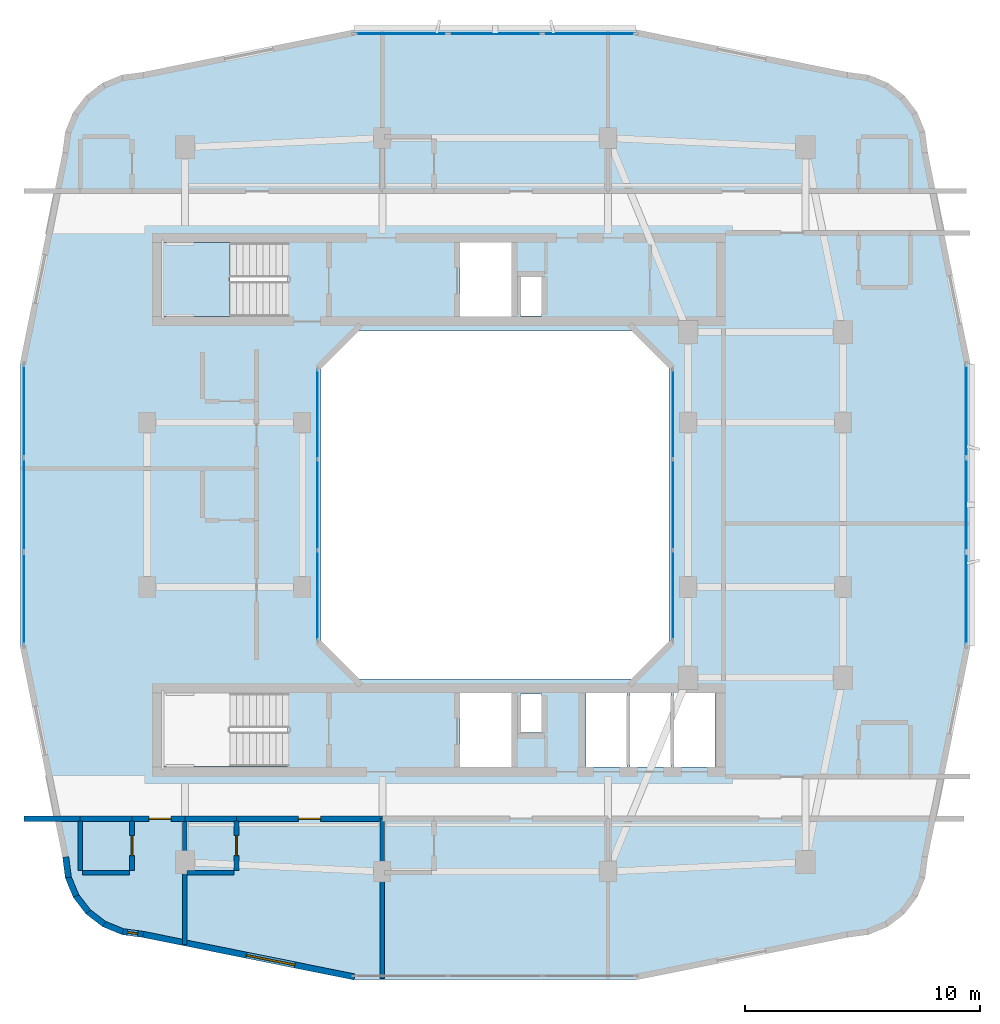
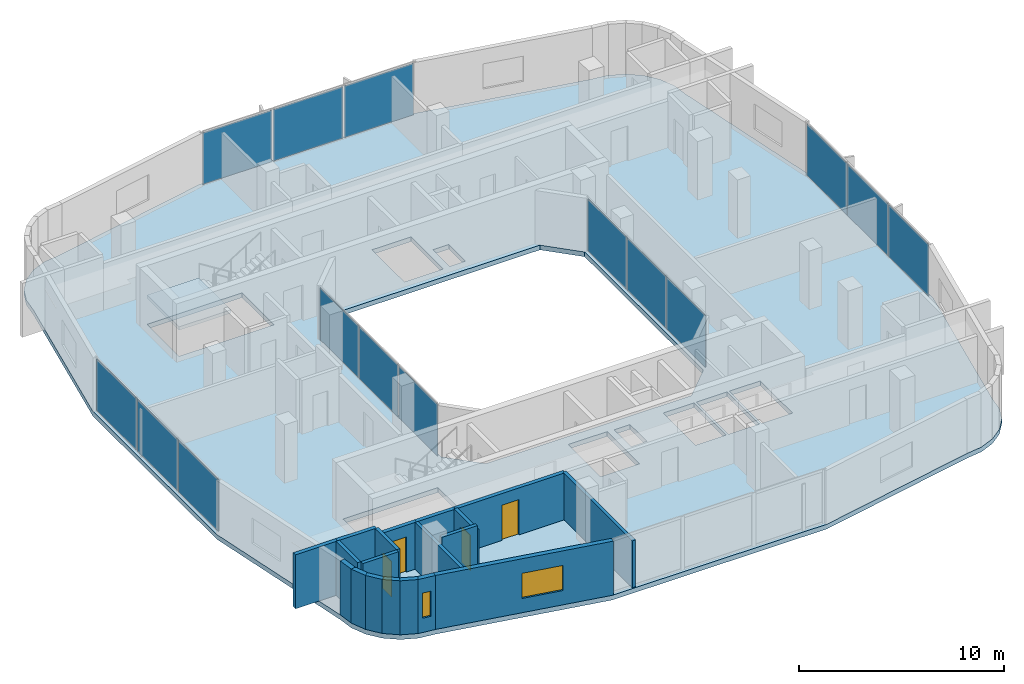
# One storey, part 6 of 14: 19 walls, 15 plates, 4 doors, 2 slabs, 2 windows, 6 openings, 6 elements without a shape of their own.
"""IFC4 building model written with IfcOpenShell, lengths in metres."""

from ifc_helpers import new_model, si_unit, derived_unit, direction, frame, frame_2d, origin, origin_2d, place, context, subcontext, project, spatial, polyline, rectangle, outline, extrude, material, layer, layer_set, type_object, element, fill, aggregate, save


model = new_model("IFC4")

# Units and contexts
model_context = context("Model", 3, precision=1e-05, world=origin(), true_north=direction((0.0, 1.0)))
body_context = subcontext(model_context, "Body", "Model", "MODEL_VIEW")
ifc_project = project(units=[si_unit("LENGTHUNIT", "METRE"), si_unit("AREAUNIT", "SQUARE_METRE"), si_unit("VOLUMEUNIT", "CUBIC_METRE"), si_unit("PLANEANGLEUNIT", "RADIAN"), si_unit("MASSUNIT", "GRAM", prefix="KILO"), derived_unit("THERMALTRANSMITTANCEUNIT", [(si_unit("POWERUNIT", "WATT"), 1), (si_unit("LENGTHUNIT", "METRE"), -2), (si_unit("THERMODYNAMICTEMPERATUREUNIT", "KELVIN"), -1)])], contexts=[model_context])

# Site, building, storey
site_placement = place(None, origin())
site = spatial("IfcSite", under=ifc_project, at=site_placement, CompositionType="ELEMENT")
building_placement = place(site_placement, origin())
building = spatial("IfcBuilding", under=site, at=building_placement, Name="Kivonza Crest Hotel", CompositionType="ELEMENT")
storey_placement = place(building_placement, frame((0.0, 0.0, 145.0)))
storey = spatial("IfcBuildingStorey", under=building, at=storey_placement, Name="L39", CompositionType="ELEMENT", Elevation=145.0)

# Curtain wall, plates
ifc_material_1 = material(Name="Anodised bronze aluminium and low-E double glazing", Category="aluminium")
ifc_layer_1 = layer(ifc_material_1, 0.159912109375)
ifc_layer_set_1 = layer_set([ifc_layer_1], Name="Anodised bronze aluminium and low-E double glazing")
curtain_wall_type_1 = type_object("IfcCurtainWallType", Name="CW-SYS-5", PredefinedType="NOTDEFINED", material=ifc_layer_set_1)
curtain_wall_1_placement = place(storey_placement, origin())
curtain_wall_1 = element("IfcCurtainWall", 1, at=curtain_wall_1_placement, inside=storey, type_object=curtain_wall_type_1, Name="L39 unitised curtain wall CW-WELL-T1-L39-3", PredefinedType="NOTDEFINED")
ifc_material_2 = material(Name="Solar-control low-E double glazing", Category="glass")
ifc_layer_2 = layer(ifc_material_2, 0.028076171875)
ifc_layer_set_2 = layer_set([ifc_layer_2], Name="Solar-control low-E double glazing")
plate_type_1 = type_object("IfcPlateType", Name="CW-PNL-28", PredefinedType="CURTAIN_PANEL", material=ifc_layer_set_2)
plate_1_placement = place(storey_placement, frame((28.56005859375, 21.149658203125, 0.06494140625), z_axis=(0.0, 0.0, 1.0), x_axis=(0.0, 1.0, 0.0)))
plate_1 = element("IfcPlate", 2, at=plate_1_placement, type_object=plate_type_1, Name="CW-5 panel 1.1", PredefinedType="CURTAIN_PANEL", context=body_context, shape_type="SweptSolid", body=[
    extrude(rectangle(XDim=3.769287109375, YDim=0.028076171875, at=origin_2d()), origin(), (0.0, 0.0, 1.0), 3.090087890625),
])
plate_2_placement = place(storey_placement, frame((28.56005859375, 25.0, 0.06494140625), z_axis=(0.0, 0.0, 1.0), x_axis=(0.0, 1.0, 0.0)))
plate_2 = element("IfcPlate", 3, at=plate_2_placement, type_object=plate_type_1, Name="CW-5 panel 2.1", PredefinedType="CURTAIN_PANEL", context=body_context, shape_type="SweptSolid", body=[
    extrude(rectangle(XDim=3.8017578125, YDim=0.028076171875, at=origin_2d()), origin(), (0.0, 0.0, 1.0), 3.090087890625),
])
plate_3_placement = place(storey_placement, frame((28.56005859375, 28.850341796875, 0.06494140625), z_axis=(0.0, 0.0, 1.0), x_axis=(0.0, 1.0, 0.0)))
plate_3 = element("IfcPlate", 4, at=plate_3_placement, type_object=plate_type_1, Name="CW-5 panel 3.1", PredefinedType="CURTAIN_PANEL", context=body_context, shape_type="SweptSolid", body=[
    extrude(rectangle(XDim=3.769287109375, YDim=0.028076171875, at=origin_2d()), origin(), (0.0, 0.0, 1.0), 3.090087890625),
])
aggregate(curtain_wall_1, [plate_1, plate_2, plate_3])

curtain_wall_2_placement = place(storey_placement, origin())
curtain_wall_2 = element("IfcCurtainWall", 5, at=curtain_wall_2_placement, inside=storey, type_object=curtain_wall_type_1, Name="L39 unitised curtain wall CW-WELL-T1-L39-7", PredefinedType="NOTDEFINED")
plate_4_placement = place(storey_placement, frame((13.43994140625, 28.850341796875, 0.06494140625), z_axis=(0.0, 0.0, 1.0), x_axis=(0.0, -1.0, 0.0)))
plate_4 = element("IfcPlate", 6, at=plate_4_placement, type_object=plate_type_1, Name="CW-5 panel 1.1", PredefinedType="CURTAIN_PANEL", context=body_context, shape_type="SweptSolid", body=[
    extrude(rectangle(XDim=3.769287109375, YDim=0.028076171875, at=origin_2d()), origin(), (0.0, 0.0, 1.0), 3.090087890625),
])
plate_5_placement = place(storey_placement, frame((13.43994140625, 25.0, 0.06494140625), z_axis=(0.0, 0.0, 1.0), x_axis=(0.0, -1.0, 0.0)))
plate_5 = element("IfcPlate", 7, at=plate_5_placement, type_object=plate_type_1, Name="CW-5 panel 2.1", PredefinedType="CURTAIN_PANEL", context=body_context, shape_type="SweptSolid", body=[
    extrude(rectangle(XDim=3.8017578125, YDim=0.028076171875, at=origin_2d()), origin(), (0.0, 0.0, 1.0), 3.090087890625),
])
plate_6_placement = place(storey_placement, frame((13.43994140625, 21.149658203125, 0.06494140625), z_axis=(0.0, 0.0, 1.0), x_axis=(0.0, -1.0, 0.0)))
plate_6 = element("IfcPlate", 8, at=plate_6_placement, type_object=plate_type_1, Name="CW-5 panel 3.1", PredefinedType="CURTAIN_PANEL", context=body_context, shape_type="SweptSolid", body=[
    extrude(rectangle(XDim=3.769287109375, YDim=0.028076171875, at=origin_2d()), origin(), (0.0, 0.0, 1.0), 3.090087890625),
])
aggregate(curtain_wall_2, [plate_4, plate_5, plate_6])

ifc_layer_3 = layer(ifc_material_1, 0.179931640625)
ifc_layer_set_3 = layer_set([ifc_layer_3], Name="Anodised bronze aluminium and low-E double glazing")
curtain_wall_type_2 = type_object("IfcCurtainWallType", Name="CW-SYS-3", PredefinedType="NOTDEFINED", material=ifc_layer_set_3)
curtain_wall_3_placement = place(storey_placement, origin())
curtain_wall_3 = element("IfcCurtainWall", 9, at=curtain_wall_3_placement, inside=storey, type_object=curtain_wall_type_2, Name="L39 unitised curtain wall CW-T1-L39-17", PredefinedType="NOTDEFINED")
ifc_material_3 = material(Name="Acoustic triple-laminated low-E glazing", Category="glass")
ifc_layer_4 = layer(ifc_material_3, 0.035888671875)
ifc_layer_set_4 = layer_set([ifc_layer_4], Name="Acoustic triple-laminated low-E glazing")
plate_type_2 = type_object("IfcPlateType", Name="CW-PNL-36", PredefinedType="CURTAIN_PANEL", material=ifc_layer_set_4)
plate_7_placement = place(storey_placement, frame((41.0400390625, 21.00537109375, 0.0751953125), z_axis=(0.0, 0.0, 1.0), x_axis=(0.0, 1.0, 0.0)))
plate_7 = element("IfcPlate", 10, at=plate_7_placement, type_object=plate_type_2, Name="CW-3 panel 1.1", PredefinedType="CURTAIN_PANEL", context=body_context, shape_type="SweptSolid", body=[
    extrude(rectangle(XDim=3.90087890625, YDim=0.035888671875, at=origin_2d()), origin(), (0.0, 0.0, 1.0), 3.070068359375),
])
plate_8_placement = place(storey_placement, frame((41.0400390625, 25.0, 0.0751953125), z_axis=(0.0, 0.0, 1.0), x_axis=(0.0, 1.0, 0.0)))
plate_8 = element("IfcPlate", 11, at=plate_8_placement, type_object=plate_type_2, Name="CW-3 panel 2.1", PredefinedType="CURTAIN_PANEL", context=body_context, shape_type="SweptSolid", body=[
    extrude(rectangle(XDim=3.938232421875, YDim=0.035888671875, at=origin_2d()), origin(), (0.0, 0.0, 1.0), 3.070068359375),
])
plate_9_placement = place(storey_placement, frame((41.0400390625, 28.99462890625, 0.0751953125), z_axis=(0.0, 0.0, 1.0), x_axis=(0.0, 1.0, 0.0)))
plate_9 = element("IfcPlate", 12, at=plate_9_placement, type_object=plate_type_2, Name="CW-3 panel 3.1", PredefinedType="CURTAIN_PANEL", context=body_context, shape_type="SweptSolid", body=[
    extrude(rectangle(XDim=3.90087890625, YDim=0.035888671875, at=origin_2d()), origin(), (0.0, 0.0, 1.0), 3.070068359375),
])
aggregate(curtain_wall_3, [plate_7, plate_8, plate_9])

curtain_wall_4_placement = place(storey_placement, origin())
curtain_wall_4 = element("IfcCurtainWall", 13, at=curtain_wall_4_placement, inside=storey, type_object=curtain_wall_type_2, Name="L39 unitised curtain wall CW-T1-L39-26", PredefinedType="NOTDEFINED")
plate_10_placement = place(storey_placement, frame((24.99462890625, 45.0400390625, 0.0751953125), z_axis=(0.0, 0.0, 1.0), x_axis=(-1.0, 0.0, 0.0)))
plate_10 = element("IfcPlate", 14, at=plate_10_placement, type_object=plate_type_2, Name="CW-3 panel 1.1", PredefinedType="CURTAIN_PANEL", context=body_context, shape_type="SweptSolid", body=[
    extrude(rectangle(XDim=3.90087890625, YDim=0.035888671875, at=origin_2d()), origin(), (0.0, 0.0, 1.0), 3.070068359375),
])
plate_11_placement = place(storey_placement, frame((21.0, 45.0400390625, 0.0751953125), z_axis=(0.0, 0.0, 1.0), x_axis=(-1.0, 0.0, 0.0)))
plate_11 = element("IfcPlate", 15, at=plate_11_placement, type_object=plate_type_2, Name="CW-3 panel 2.1", PredefinedType="CURTAIN_PANEL", context=body_context, shape_type="SweptSolid", body=[
    extrude(rectangle(XDim=3.938232421875, YDim=0.035888671875, at=origin_2d()), origin(), (0.0, 0.0, 1.0), 3.070068359375),
])
plate_12_placement = place(storey_placement, frame((17.00537109375, 45.0400390625, 0.0751953125), z_axis=(0.0, 0.0, 1.0), x_axis=(-1.0, 0.0, 0.0)))
plate_12 = element("IfcPlate", 16, at=plate_12_placement, type_object=plate_type_2, Name="CW-3 panel 3.1", PredefinedType="CURTAIN_PANEL", context=body_context, shape_type="SweptSolid", body=[
    extrude(rectangle(XDim=3.90087890625, YDim=0.035888671875, at=origin_2d()), origin(), (0.0, 0.0, 1.0), 3.070068359375),
])
aggregate(curtain_wall_4, [plate_10, plate_11, plate_12])

curtain_wall_5_placement = place(storey_placement, origin())
curtain_wall_5 = element("IfcCurtainWall", 17, at=curtain_wall_5_placement, inside=storey, type_object=curtain_wall_type_2, Name="L39 unitised curtain wall CW-T1-L39-35", PredefinedType="NOTDEFINED")
plate_13_placement = place(storey_placement, frame((0.9599609375, 28.99462890625, 0.0751953125), z_axis=(0.0, 0.0, 1.0), x_axis=(0.0, -1.0, 0.0)))
plate_13 = element("IfcPlate", 18, at=plate_13_placement, type_object=plate_type_2, Name="CW-3 panel 1.1", PredefinedType="CURTAIN_PANEL", context=body_context, shape_type="SweptSolid", body=[
    extrude(rectangle(XDim=3.90087890625, YDim=0.035888671875, at=origin_2d()), origin(), (0.0, 0.0, 1.0), 3.070068359375),
])
plate_14_placement = place(storey_placement, frame((0.9599609375, 25.0, 0.0751953125), z_axis=(0.0, 0.0, 1.0), x_axis=(0.0, -1.0, 0.0)))
plate_14 = element("IfcPlate", 19, at=plate_14_placement, type_object=plate_type_2, Name="CW-3 panel 2.1", PredefinedType="CURTAIN_PANEL", context=body_context, shape_type="SweptSolid", body=[
    extrude(rectangle(XDim=3.938232421875, YDim=0.035888671875, at=origin_2d()), origin(), (0.0, 0.0, 1.0), 3.070068359375),
])
plate_15_placement = place(storey_placement, frame((0.9599609375, 21.00537109375, 0.0751953125), z_axis=(0.0, 0.0, 1.0), x_axis=(0.0, -1.0, 0.0)))
plate_15 = element("IfcPlate", 20, at=plate_15_placement, type_object=plate_type_2, Name="CW-3 panel 3.1", PredefinedType="CURTAIN_PANEL", context=body_context, shape_type="SweptSolid", body=[
    extrude(rectangle(XDim=3.90087890625, YDim=0.035888671875, at=origin_2d()), origin(), (0.0, 0.0, 1.0), 3.070068359375),
])
aggregate(curtain_wall_5, [plate_13, plate_14, plate_15])

# Slab
ifc_material_4 = material(Name="Concrete C40/50", Category="concrete")
ifc_layer_5 = layer(ifc_material_4, 0.280029296875)
ifc_layer_set_5 = layer_set([ifc_layer_5], Name="Concrete C40/50")
slab_type_1 = type_object("IfcSlabType", Name="SL-HTL-280", PredefinedType="FLOOR", material=ifc_layer_set_5)
slab_1_placement = place(storey_placement, frame((0.0, 0.0, -0.280029296875)))
element("IfcSlab", 21, at=slab_1_placement, inside=storey, type_object=slab_type_1, Name="Tower T1 L39 floor slab", PredefinedType="FLOOR", context=body_context, shape_type="SweptSolid", body=[
    extrude(outline(polyline([(2.60009765625, 10.0), (2.716064453125, 9.1201171875), (3.055908203125, 8.300048828125), (3.595947265625, 7.595947265625), (4.300048828125, 7.055908203125), (5.1201171875, 6.716064453125), (6.0, 6.60009765625), (14.93994140625, 4.800048828125), (27.06005859375, 4.800048828125), (36.0, 6.60009765625), (36.8798828125, 6.716064453125), (37.699951171875, 7.055908203125), (38.404052734375, 7.595947265625), (38.944091796875, 8.300048828125), (39.283935546875, 9.1201171875), (39.39990234375, 10.0), (41.199951171875, 18.93994140625), (41.199951171875, 31.06005859375), (39.39990234375, 40.0), (39.283935546875, 40.8798828125), (38.944091796875, 41.699951171875), (38.404052734375, 42.404052734375), (37.699951171875, 42.944091796875), (36.8798828125, 43.283935546875), (36.0, 43.39990234375), (27.06005859375, 45.199951171875), (14.93994140625, 45.199951171875), (6.0, 43.39990234375), (5.1201171875, 43.283935546875), (4.300048828125, 42.944091796875), (3.595947265625, 42.404052734375), (3.055908203125, 41.699951171875), (2.716064453125, 40.8798828125), (2.60009765625, 40.0), (0.800048828125, 31.06005859375), (0.800048828125, 18.93994140625), (2.60009765625, 10.0)]), holes=[polyline([(15.199951171875, 17.60009765625), (26.800048828125, 17.60009765625), (28.39990234375, 19.199951171875), (28.39990234375, 30.800048828125), (26.800048828125, 32.39990234375), (15.199951171875, 32.39990234375), (13.60009765625, 30.800048828125), (13.60009765625, 19.199951171875), (15.199951171875, 17.60009765625)]), polyline([(6.800048828125, 33.02001953125), (12.159912109375, 33.02001953125), (12.159912109375, 36.159912109375), (6.800048828125, 36.159912109375), (6.800048828125, 33.02001953125)]), polyline([(6.800048828125, 13.860107421875), (12.159912109375, 13.860107421875), (12.159912109375, 17.0), (6.800048828125, 17.0), (6.800048828125, 13.860107421875)]), polyline([(22.080078125, 33.0400390625), (22.969970703125, 33.0400390625), (22.969970703125, 34.679931640625), (22.080078125, 34.679931640625), (22.080078125, 33.0400390625)]), polyline([(22.080078125, 15.320068359375), (22.969970703125, 15.320068359375), (22.969970703125, 16.9599609375), (22.080078125, 16.9599609375), (22.080078125, 15.320068359375)]), polyline([(19.5, 33.0), (21.699951171875, 33.0), (21.699951171875, 36.159912109375), (19.5, 36.159912109375), (19.5, 33.0)]), polyline([(19.5, 13.840087890625), (21.699951171875, 13.840087890625), (21.699951171875, 17.0), (19.5, 17.0), (19.5, 13.840087890625)]), polyline([(24.860107421875, 13.840087890625), (26.60693359375, 13.840087890625), (26.60693359375, 17.0), (24.860107421875, 17.0), (24.860107421875, 13.840087890625)]), polyline([(26.72705078125, 13.840087890625), (28.472900390625, 13.840087890625), (28.472900390625, 17.0), (26.72705078125, 17.0), (26.72705078125, 13.840087890625)]), polyline([(28.593017578125, 13.840087890625), (30.340087890625, 13.840087890625), (30.340087890625, 17.0), (28.593017578125, 17.0), (28.593017578125, 13.840087890625)])]), origin(), (0.0, 0.0, 1.0), 0.280029296875),
])

# Stair, slab
stair_type = type_object("IfcStairType", Name="ST-DL-20R", PredefinedType="HALF_TURN_STAIR", material=ifc_material_4)
stair_placement = place(storey_placement, origin())
stair = element("IfcStair", 22, at=stair_placement, inside=storey, type_object=stair_type, Name="L39 Protected Exit Stair ST-T1-N", PredefinedType="HALF_TURN_STAIR")
ifc_layer_6 = layer(ifc_material_4, 0.199951171875)
ifc_layer_set_6 = layer_set([ifc_layer_6], Name="Concrete C40/50")
slab_type_2 = type_object("IfcSlabType", Name="SL-LAND-200", PredefinedType="LANDING", material=ifc_layer_set_6)
slab_2_placement = place(storey_placement, frame((0.0, 0.0, 1.550048828125)))
slab_2 = element("IfcSlab", 23, at=slab_2_placement, type_object=slab_type_2, Name="ST-T1-N landing 1", PredefinedType="LANDING", context=body_context, shape_type="SweptSolid", body=[
    extrude(outline(polyline([(9.719970703125, 36.159912109375), (6.800048828125, 36.159912109375), (6.800048828125, 33.02001953125), (9.719970703125, 33.02001953125), (9.719970703125, 36.159912109375)])), origin(), (0.0, 0.0, 1.0), 0.199951171875),
])
aggregate(stair, [slab_2])

# Walls
ifc_material_5 = material(Name="High-density acoustic masonry inter-tenancy wall", Category="masonry")
ifc_layer_7 = layer(ifc_material_5, 0.179931640625)
ifc_layer_set_7 = layer_set([ifc_layer_7], Name="High-density acoustic masonry inter-tenancy wall")
wall_type_1 = type_object("IfcWallType", Name="WL-ACOU-180", PredefinedType="SOLIDWALL", material=ifc_layer_set_7)
wall_1_placement = place(storey_placement, frame((7.800048828125, 6.299072265625, 0.0), z_axis=(0.0, 0.0, 1.0), x_axis=(0.0, 1.0, 0.0)))
element("IfcWall", 24, at=wall_1_placement, inside=storey, type_object=wall_type_1, Name="L39 interior partition WA-L39-T1S-DIV1", PredefinedType="SOLIDWALL", context=body_context, shape_type="SweptSolid", body=[
    extrude(rectangle(XDim=5.350830078125, YDim=0.179931640625, at=frame_2d((2.67529296875, 0.0))), origin(), (0.0, 0.0, 1.0), 2.794921875),
])
wall_2_placement = place(storey_placement, frame((16.199951171875, 4.860107421875, 0.0), z_axis=(0.0, 0.0, 1.0), x_axis=(0.0, 1.0, 0.0)))
element("IfcWall", 25, at=wall_2_placement, inside=storey, type_object=wall_type_1, Name="L39 interior partition WA-L39-T1S-DIV2", PredefinedType="SOLIDWALL", context=body_context, shape_type="SweptSolid", body=[
    extrude(rectangle(XDim=6.789794921875, YDim=0.179931640625, at=frame_2d((3.39501953125, 0.0))), origin(), (0.0, 0.0, 1.0), 2.794921875),
])
ifc_material_6 = material(Name="Autoclaved aerated concrete blockwork", Category="masonry")
ifc_layer_8 = layer(ifc_material_6, 0.219970703125)
ifc_layer_set_8 = layer_set([ifc_layer_8], Name="Autoclaved aerated concrete blockwork")
wall_type_2 = type_object("IfcWallType", Name="WL-ACOU-220", PredefinedType="SOLIDWALL", material=ifc_layer_set_8)
wall_3_placement = place(storey_placement, frame((0.9599609375, 11.64990234375, 0.0), z_axis=(0.0, 0.0, 1.0), x_axis=(1.0, 0.0, 0.0)))
element("IfcWall", 26, at=wall_3_placement, inside=storey, type_object=wall_type_2, Name="L39 interior partition WA-L39-S04-XCORR", PredefinedType="SOLIDWALL", context=body_context, shape_type="SweptSolid", body=[
    extrude(rectangle(XDim=2.39013671875, YDim=0.219970703125, at=frame_2d((1.195068359375, 0.0))), origin(), (0.0, 0.0, 1.0), 3.219970703125),
])
wall_4_placement = place(storey_placement, frame((3.35009765625, 11.64990234375, 0.0), z_axis=(0.0, 0.0, 1.0), x_axis=(1.0, 0.0, 0.0)))
element("IfcWall", 27, at=wall_4_placement, inside=storey, type_object=wall_type_2, Name="L39 interior partition WA-L39-S04-BCORR", PredefinedType="SOLIDWALL", context=body_context, shape_type="SweptSolid", body=[
    extrude(rectangle(XDim=2.199951171875, YDim=0.219970703125, at=frame_2d((1.10009765625, 0.0))), origin(), (0.0, 0.0, 1.0), 3.219970703125),
])

# Wall, opening, door
wall_5_placement = place(storey_placement, frame((5.550048828125, 11.64990234375, 0.0), z_axis=(0.0, 0.0, 1.0), x_axis=(1.0, 0.0, 0.0)))
wall_5 = element("IfcWall", 28, at=wall_5_placement, inside=storey, type_object=wall_type_2, Name="L39 interior partition WA-L39-S04-MCORR", PredefinedType="SOLIDWALL", context=body_context, shape_type="SweptSolid", body=[
    extrude(rectangle(XDim=2.25, YDim=0.219970703125, at=frame_2d((1.125, 0.0))), origin(), (0.0, 0.0, 1.0), 2.794921875),
])
opening_1_placement = place(wall_5_placement, frame((0.719970703125, 0.0, 0.0)))
opening_1 = element("IfcOpeningElement", 29, at=opening_1_placement, cuts=wall_5, Name="Opening DU-60", PredefinedType="OPENING", context=body_context, shape_type="SweptSolid", body=[
    extrude(rectangle(XDim=0.949951171875, YDim=2.10009765625, at=frame_2d((0.47509765625, 1.050048828125))), frame((0.0, 0.1201171875, 0.0), z_axis=(0.0, -1.0, 0.0), x_axis=(1.0, 0.0, 0.0)), (0.0, 0.0, 1.0), 0.239990234375),
])
ifc_material_7 = material(Name="Hardwood timber oak", Category="wood")
door_type_1 = type_object("IfcDoorType", Name="DR-UNIT-950", OperationType="NOTDEFINED", PredefinedType="DOOR", material=ifc_material_7)
door_1_placement = place(opening_1_placement, frame((0.949951171875, 0.0, 0.0), z_axis=(0.0, 0.0, 1.0), x_axis=(-1.0, 0.0, 0.0)))
door_1 = element("IfcDoor", 30, at=door_1_placement, inside=storey, type_object=door_type_1, Name="L39 S04 guest unit entrance fire door", OperationType="SINGLE_SWING_RIGHT", OverallHeight=2.10009765625, OverallWidth=0.949951171875, PredefinedType="DOOR", context=body_context, shape_type="SweptSolid", body=[
    extrude(rectangle(XDim=0.949951171875, YDim=2.10009765625, at=frame_2d((0.47509765625, 1.050048828125))), frame((0.0, 0.02490234375, 0.0), z_axis=(0.0, -1.0, 0.0), x_axis=(1.0, 0.0, 0.0)), (0.0, 0.0, 1.0), 0.050048828125),
])
fill(opening_1, door_1)

# Wall
wall_6_placement = place(storey_placement, frame((7.800048828125, 11.64990234375, 0.0), z_axis=(0.0, 0.0, 1.0), x_axis=(1.0, 0.0, 0.0)))
element("IfcWall", 31, at=wall_6_placement, inside=storey, type_object=wall_type_2, Name="L39 interior partition WA-L39-S05-BCORR", PredefinedType="SOLIDWALL", context=body_context, shape_type="SweptSolid", body=[
    extrude(rectangle(XDim=2.199951171875, YDim=0.219970703125, at=frame_2d((1.10009765625, 0.0))), origin(), (0.0, 0.0, 1.0), 2.794921875),
])

# Wall, opening, door
wall_7_placement = place(storey_placement, frame((10.0, 11.64990234375, 0.0), z_axis=(0.0, 0.0, 1.0), x_axis=(1.0, 0.0, 0.0)))
wall_7 = element("IfcWall", 32, at=wall_7_placement, inside=storey, type_object=wall_type_2, Name="L39 interior partition WA-L39-S05-MCORR", PredefinedType="SOLIDWALL", context=body_context, shape_type="SweptSolid", body=[
    extrude(rectangle(XDim=6.199951171875, YDim=0.219970703125, at=frame_2d((3.10009765625, 0.0))), origin(), (0.0, 0.0, 1.0), 2.794921875),
])
opening_2_placement = place(wall_7_placement, frame((2.625, 0.0, 0.0)))
opening_2 = element("IfcOpeningElement", 33, at=opening_2_placement, cuts=wall_7, Name="Opening DU-60", PredefinedType="OPENING", context=body_context, shape_type="SweptSolid", body=[
    extrude(rectangle(XDim=0.949951171875, YDim=2.10009765625, at=frame_2d((0.47509765625, 1.050048828125))), frame((0.0, 0.1201171875, 0.0), z_axis=(0.0, -1.0, 0.0), x_axis=(1.0, 0.0, 0.0)), (0.0, 0.0, 1.0), 0.239990234375),
])
door_2_placement = place(opening_2_placement, frame((0.949951171875, 0.0, 0.0), z_axis=(0.0, 0.0, 1.0), x_axis=(-1.0, 0.0, 0.0)))
door_2 = element("IfcDoor", 34, at=door_2_placement, inside=storey, type_object=door_type_1, Name="L39 S05 guest unit entrance fire door", OperationType="SINGLE_SWING_LEFT", OverallHeight=2.10009765625, OverallWidth=0.949951171875, PredefinedType="DOOR", context=body_context, shape_type="SweptSolid", body=[
    extrude(rectangle(XDim=0.949951171875, YDim=2.10009765625, at=frame_2d((0.47509765625, 1.050048828125))), frame((0.0, 0.02490234375, 0.0), z_axis=(0.0, -1.0, 0.0), x_axis=(1.0, 0.0, 0.0)), (0.0, 0.0, 1.0), 0.050048828125),
])
fill(opening_2, door_2)

# Walls
ifc_material_8 = material(Name="Precast concrete C40/50", Category="concrete")
ifc_layer_9 = layer(ifc_material_8, 0.260009765625)
ifc_layer_set_9 = layer_set([ifc_layer_9], Name="Precast concrete C40/50")
wall_type_3 = type_object("IfcWallType", Name="WL-EXT-260", PredefinedType="STANDARD", material=ifc_layer_set_9)
wall_8_placement = place(storey_placement, frame((2.72802734375, 10.02490234375, 0.0), z_axis=(0.0, 0.0, 1.0), x_axis=(0.130953706898, -0.991388484223, 0.0)))
element("IfcWall", 35, at=wall_8_placement, inside=storey, type_object=wall_type_3, Name="L39 T1 exterior insulated wall 1", PredefinedType="STANDARD", context=body_context, shape_type="SweptSolid", body=[
    extrude(rectangle(XDim=0.885498046875, YDim=0.260009765625, at=frame_2d((0.44287109375, 0.0))), origin(), (0.0, 0.0, 1.0), 3.219970703125),
])
wall_9_placement = place(storey_placement, frame((2.825927734375, 9.193115234375, 0.0), z_axis=(0.0, 0.0, 1.0), x_axis=(0.383290660547, -0.923627776508, 0.0)))
element("IfcWall", 36, at=wall_9_placement, inside=storey, type_object=wall_type_3, Name="L39 T1 exterior insulated wall 2", PredefinedType="STANDARD", context=body_context, shape_type="SweptSolid", body=[
    extrude(rectangle(XDim=0.9033203125, YDim=0.260009765625, at=frame_2d((0.45166015625, 0.0))), origin(), (0.0, 0.0, 1.0), 3.219970703125),
])
wall_10_placement = place(storey_placement, frame((3.14404296875, 8.39892578125, 0.0), z_axis=(0.0, 0.0, 1.0), x_axis=(0.608624690463, -0.793458244748, 0.0)))
element("IfcWall", 37, at=wall_10_placement, inside=storey, type_object=wall_type_3, Name="L39 T1 exterior insulated wall 3", PredefinedType="STANDARD", context=body_context, shape_type="SweptSolid", body=[
    extrude(rectangle(XDim=0.902099609375, YDim=0.260009765625, at=frame_2d((0.451171875, 0.0))), origin(), (0.0, 0.0, 1.0), 3.219970703125),
])
wall_11_placement = place(storey_placement, frame((3.655029296875, 7.714111328125, 0.0), z_axis=(0.0, 0.0, 1.0), x_axis=(0.793558456666, -0.608494022858, 0.0)))
element("IfcWall", 38, at=wall_11_placement, inside=storey, type_object=wall_type_3, Name="L39 T1 exterior insulated wall 4", PredefinedType="STANDARD", context=body_context, shape_type="SweptSolid", body=[
    extrude(rectangle(XDim=0.90234375, YDim=0.260009765625, at=frame_2d((0.451171875, 0.0))), origin(), (0.0, 0.0, 1.0), 3.219970703125),
])
wall_12_placement = place(storey_placement, frame((4.326904296875, 7.18603515625, 0.0), z_axis=(0.0, 0.0, 1.0), x_axis=(0.923683767999, -0.383155708213, 0.0)))
element("IfcWall", 39, at=wall_12_placement, inside=storey, type_object=wall_type_3, Name="L39 T1 exterior insulated wall 5", PredefinedType="STANDARD", context=body_context, shape_type="SweptSolid", body=[
    extrude(rectangle(XDim=0.90283203125, YDim=0.260009765625, at=frame_2d((0.451416015625, 0.0))), origin(), (0.0, 0.0, 1.0), 3.219970703125),
])

# Wall, opening, window
wall_13_placement = place(storey_placement, frame((5.112060546875, 6.847900390625, 0.0), z_axis=(0.0, 0.0, 1.0), x_axis=(0.991487658083, -0.130200706103, 0.0)))
wall_13 = element("IfcWall", 40, at=wall_13_placement, inside=storey, type_object=wall_type_3, Name="L39 T1 exterior insulated wall 6", PredefinedType="STANDARD", context=body_context, shape_type="SweptSolid", body=[
    extrude(rectangle(XDim=0.920654296875, YDim=0.260009765625, at=frame_2d((0.46044921875, 0.0))), origin(), (0.0, 0.0, 1.0), 3.219970703125),
])
opening_3_placement = place(wall_13_placement, frame((0.235107421875, 0.0, 0.85009765625)))
opening_3 = element("IfcOpeningElement", 41, at=opening_3_placement, cuts=wall_13, Name="Opening WN-11", PredefinedType="OPENING", context=body_context, shape_type="SweptSolid", body=[
    extrude(rectangle(XDim=0.449951171875, YDim=1.5, at=frame_2d((0.22509765625, 0.75))), frame((0.0, 0.14013671875, 0.0), z_axis=(0.0, -1.0, 0.0), x_axis=(1.0, 0.0, 0.0)), (0.0, 0.0, 1.0), 0.280029296875),
])
ifc_material_9 = material(Name="Thermally broken bronze aluminium and low-E double glazing", Category="aluminium")
window_type_1 = type_object("IfcWindowType", Name="WN-045x150", PartitioningType="SINGLE_PANEL", PredefinedType="WINDOW", material=ifc_material_9)
window_1_placement = place(opening_3_placement, origin())
window_1 = element("IfcWindow", 42, at=window_1_placement, inside=storey, type_object=window_type_1, Name="L39 corner vision window 1", OverallHeight=1.5, OverallWidth=0.449951171875, PartitioningType="SINGLE_PANEL", PredefinedType="WINDOW", context=body_context, shape_type="SweptSolid", body=[
    extrude(rectangle(XDim=0.449951171875, YDim=1.5, at=frame_2d((0.22509765625, 0.75))), frame((0.0, 0.030029296875, 0.0), z_axis=(0.0, -1.0, 0.0), x_axis=(1.0, 0.0, 0.0)), (0.0, 0.0, 1.0), 0.06005859375),
])
fill(opening_3, window_1)

wall_14_placement = place(storey_placement, frame((6.01806640625, 6.72900390625, 0.0), z_axis=(0.0, 0.0, 1.0), x_axis=(0.980315963543, -0.197435082048, 0.0)))
wall_14 = element("IfcWall", 43, at=wall_14_placement, inside=storey, type_object=wall_type_3, Name="L39 T1 exterior insulated wall 7", PredefinedType="STANDARD", context=body_context, shape_type="SweptSolid", body=[
    extrude(rectangle(XDim=9.1826171875, YDim=0.260009765625, at=frame_2d((4.59130859375, 0.0))), origin(), (0.0, 0.0, 1.0), 3.219970703125),
])
opening_4_placement = place(wall_14_placement, frame((4.487060546875, 0.0, 0.85009765625)))
opening_4 = element("IfcOpeningElement", 44, at=opening_4_placement, cuts=wall_14, Name="Opening WN-04", PredefinedType="OPENING", context=body_context, shape_type="SweptSolid", body=[
    extrude(rectangle(XDim=2.10009765625, YDim=1.5, at=frame_2d((1.050048828125, 0.75))), frame((0.0, 0.14013671875, 0.0), z_axis=(0.0, -1.0, 0.0), x_axis=(1.0, 0.0, 0.0)), (0.0, 0.0, 1.0), 0.280029296875),
])
window_type_2 = type_object("IfcWindowType", Name="WN-210x150", PartitioningType="DOUBLE_PANEL_VERTICAL", PredefinedType="WINDOW", material=ifc_material_9)
window_2_placement = place(opening_4_placement, origin())
window_2 = element("IfcWindow", 45, at=window_2_placement, inside=storey, type_object=window_type_2, Name="L39 T1 facade window 7", OverallHeight=1.5, OverallWidth=2.10009765625, PartitioningType="SINGLE_PANEL", PredefinedType="WINDOW", context=body_context, shape_type="SweptSolid", body=[
    extrude(rectangle(XDim=2.10009765625, YDim=1.5, at=frame_2d((1.050048828125, 0.75))), frame((0.0, 0.030029296875, 0.0), z_axis=(0.0, -1.0, 0.0), x_axis=(1.0, 0.0, 0.0)), (0.0, 0.0, 1.0), 0.06005859375),
])
fill(opening_4, window_2)

# Wall, opening, door
ifc_material_10 = material(Name="Moisture-resistant plumbing chase partition wall", Category="gypsum")
ifc_layer_10 = layer(ifc_material_10, 0.199951171875)
ifc_layer_set_10 = layer_set([ifc_layer_10], Name="Moisture-resistant plumbing chase partition wall")
wall_type_4 = type_object("IfcWallType", Name="WL-PLUMB-200", PredefinedType="PLUMBINGWALL", material=ifc_layer_set_10)
wall_15_placement = place(storey_placement, frame((5.550048828125, 9.449951171875, 0.0), z_axis=(0.0, 0.0, 1.0), x_axis=(0.0, 1.0, 0.0)))
wall_15 = element("IfcWall", 46, at=wall_15_placement, inside=storey, type_object=wall_type_4, Name="L39 interior partition WW-L39-S04-BV", PredefinedType="PLUMBINGWALL", context=body_context, shape_type="SweptSolid", body=[
    extrude(rectangle(XDim=2.10009765625, YDim=0.199951171875, at=frame_2d((1.050048828125, 0.0))), origin(), (0.0, 0.0, 1.0), 3.219970703125),
])
opening_5_placement = place(wall_15_placement, frame((0.625, 0.0, 0.0)))
opening_5 = element("IfcOpeningElement", 47, at=opening_5_placement, cuts=wall_15, Name="Opening DI-85", PredefinedType="OPENING", context=body_context, shape_type="SweptSolid", body=[
    extrude(rectangle(XDim=0.85009765625, YDim=2.10009765625, at=frame_2d((0.425048828125, 1.050048828125))), frame((0.0, 0.10986328125, 0.0), z_axis=(0.0, -1.0, 0.0), x_axis=(1.0, 0.0, 0.0)), (0.0, 0.0, 1.0), 0.219970703125),
])
door_type_2 = type_object("IfcDoorType", Name="DR-INT-850", OperationType="NOTDEFINED", PredefinedType="DOOR", material=ifc_material_7)
door_3_placement = place(opening_5_placement, frame((0.85009765625, 0.0, 0.0), z_axis=(0.0, 0.0, 1.0), x_axis=(-1.0, 0.0, 0.0)))
door_3 = element("IfcDoor", 48, at=door_3_placement, inside=storey, type_object=door_type_2, Name="L39 S04 en-suite bathroom door", OperationType="SINGLE_SWING_LEFT", OverallHeight=2.10009765625, OverallWidth=0.85009765625, PredefinedType="DOOR", context=body_context, shape_type="SweptSolid", body=[
    extrude(rectangle(XDim=0.85009765625, YDim=2.10009765625, at=frame_2d((0.425048828125, 1.050048828125))), frame((0.0, 0.02490234375, 0.0), z_axis=(0.0, -1.0, 0.0), x_axis=(1.0, 0.0, 0.0)), (0.0, 0.0, 1.0), 0.050048828125),
])
fill(opening_5, door_3)

# Walls
wall_16_placement = place(storey_placement, frame((3.449951171875, 9.35009765625, 0.0), z_axis=(0.0, 0.0, 1.0), x_axis=(1.0, 0.0, 0.0)))
element("IfcWall", 49, at=wall_16_placement, inside=storey, type_object=wall_type_4, Name="L39 interior partition WW-L39-S04-BH", PredefinedType="PLUMBINGWALL", context=body_context, shape_type="SweptSolid", body=[
    extrude(rectangle(XDim=2.0, YDim=0.199951171875, at=frame_2d((1.0, 0.0))), origin(), (0.0, 0.0, 1.0), 3.219970703125),
])
wall_17_placement = place(storey_placement, frame((3.35009765625, 9.449951171875, 0.0), z_axis=(0.0, 0.0, 1.0), x_axis=(0.0, 1.0, 0.0)))
element("IfcWall", 50, at=wall_17_placement, inside=storey, type_object=wall_type_4, Name="L39 interior partition WW-L39-S04-BVW", PredefinedType="PLUMBINGWALL", context=body_context, shape_type="SweptSolid", body=[
    extrude(rectangle(XDim=2.10009765625, YDim=0.199951171875, at=frame_2d((1.050048828125, 0.0))), origin(), (0.0, 0.0, 1.0), 3.219970703125),
])

# Wall, opening, door
wall_18_placement = place(storey_placement, frame((10.0, 9.449951171875, 0.0), z_axis=(0.0, 0.0, 1.0), x_axis=(0.0, 1.0, 0.0)))
wall_18 = element("IfcWall", 51, at=wall_18_placement, inside=storey, type_object=wall_type_4, Name="L39 interior partition WW-L39-S05-BV", PredefinedType="PLUMBINGWALL", context=body_context, shape_type="SweptSolid", body=[
    extrude(rectangle(XDim=2.10009765625, YDim=0.199951171875, at=frame_2d((1.050048828125, 0.0))), origin(), (0.0, 0.0, 1.0), 2.8349609375),
])
opening_6_placement = place(wall_18_placement, frame((0.625, 0.0, 0.0)))
opening_6 = element("IfcOpeningElement", 52, at=opening_6_placement, cuts=wall_18, Name="Opening DI-85", PredefinedType="OPENING", context=body_context, shape_type="SweptSolid", body=[
    extrude(rectangle(XDim=0.85009765625, YDim=2.10009765625, at=frame_2d((0.425048828125, 1.050048828125))), frame((0.0, 0.10986328125, 0.0), z_axis=(0.0, -1.0, 0.0), x_axis=(1.0, 0.0, 0.0)), (0.0, 0.0, 1.0), 0.219970703125),
])
door_4_placement = place(opening_6_placement, frame((0.85009765625, 0.0, 0.0), z_axis=(0.0, 0.0, 1.0), x_axis=(-1.0, 0.0, 0.0)))
door_4 = element("IfcDoor", 53, at=door_4_placement, inside=storey, type_object=door_type_2, Name="L39 S05 en-suite bathroom door", OperationType="SINGLE_SWING_RIGHT", OverallHeight=2.10009765625, OverallWidth=0.85009765625, PredefinedType="DOOR", context=body_context, shape_type="SweptSolid", body=[
    extrude(rectangle(XDim=0.85009765625, YDim=2.10009765625, at=frame_2d((0.425048828125, 1.050048828125))), frame((0.0, 0.02490234375, 0.0), z_axis=(0.0, -1.0, 0.0), x_axis=(1.0, 0.0, 0.0)), (0.0, 0.0, 1.0), 0.050048828125),
])
fill(opening_6, door_4)

# Wall
wall_19_placement = place(storey_placement, frame((7.89990234375, 9.35009765625, 0.0), z_axis=(0.0, 0.0, 1.0), x_axis=(1.0, 0.0, 0.0)))
element("IfcWall", 54, at=wall_19_placement, inside=storey, type_object=wall_type_4, Name="L39 interior partition WW-L39-S05-BH", PredefinedType="PLUMBINGWALL", context=body_context, shape_type="SweptSolid", body=[
    extrude(rectangle(XDim=2.0, YDim=0.199951171875, at=frame_2d((1.0, 0.0))), origin(), (0.0, 0.0, 1.0), 3.219970703125),
])

save(model, "model.ifc")
